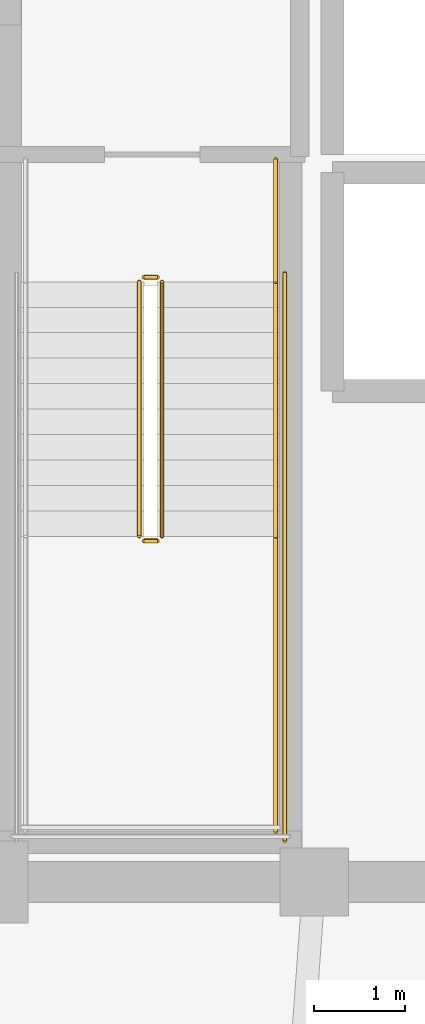
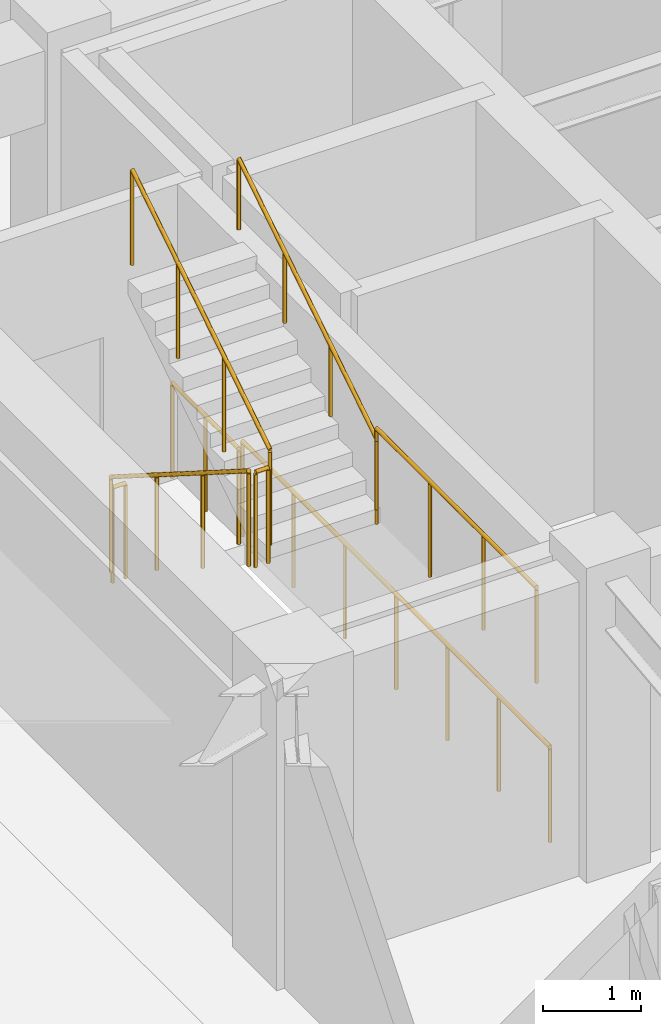
# One storey, part 14 of 15: 8 railings.
"""IFC4 building model written with IfcOpenShell, lengths in metres."""

import ifcopenshell
import ifcopenshell.guid

model = None  # the IFC model being written
_history = None  # IfcOwnerHistory: only IFC2X3 demands one
_inside = {}  # id of a spatial element -> (the spatial element, [elements in it])
_under = {}  # id of a project, library or spatial element -> (it, [spatial elements below it])
_declared = {}  # id of a project -> (the project, [libraries it declares])
_typed = {}  # id of a type object -> (the type object, [elements of that type])
_made_of = {}  # id of a material, layer set ... -> (it, [elements and type objects made of it])


def new_model(schema):
    """Start an empty IFC model of exactly this schema.

    Asked for "IFC4X3", IfcOpenShell would pick the latest addendum, in which some entities
    have other attributes; the version numbers below select the first issue.
    IFC2X3 requires an IfcOwnerHistory on every rooted entity: one is made here for all.
    """
    global model, _history
    if schema == "IFC4X3":
        model = ifcopenshell.file(schema_version=(4, 3, 0, 0))
    else:
        model = ifcopenshell.file(schema=schema)
    _inside.clear()
    _under.clear()
    _declared.clear()
    _typed.clear()
    _made_of.clear()
    _history = None
    if model.schema == "IFC2X3":
        org = make("IfcOrganization", Name="unknown")
        user = make(
            "IfcPersonAndOrganization",
            ThePerson=make("IfcPerson", FamilyName="unknown"),
            TheOrganization=org,
        )
        app = make(
            "IfcApplication",
            ApplicationDeveloper=org,
            Version="unknown",
            ApplicationFullName="unknown",
            ApplicationIdentifier="unknown",
        )
        _history = make(
            "IfcOwnerHistory",
            OwningUser=user,
            OwningApplication=app,
            ChangeAction="ADDED",
            CreationDate=0,
        )
    return model


def make(cls, **values):
    """One entity of the class cls with the attributes given. An attribute that is None is left unset."""
    return model.create_entity(
        cls, **{name: value for name, value in values.items() if value is not None}
    )


def rooted(cls, **values):
    """An entity with a GlobalId (a new one), such as an element, a storey or a relation."""
    return make(cls, GlobalId=ifcopenshell.guid.new(), OwnerHistory=_history, **values)


def si_unit(unit_type, name, prefix=None):
    """IfcSIUnit, for example si_unit("LENGTHUNIT", "METRE", prefix="MILLI")."""
    return make("IfcSIUnit", UnitType=unit_type, Prefix=prefix, Name=name)


def assignment(units):
    """IfcUnitAssignment: the units of a project."""
    return None if units is None else make("IfcUnitAssignment", Units=units)


def point(xyz):
    """IfcCartesianPoint."""
    return None if xyz is None else make("IfcCartesianPoint", Coordinates=xyz)


def direction(xyz):
    """IfcDirection."""
    return None if xyz is None else make("IfcDirection", DirectionRatios=xyz)


def frame(location, z_axis=None, x_axis=None):
    """IfcAxis2Placement3D, a coordinate frame: its origin and axes. An axis left out is left unset."""
    return make(
        "IfcAxis2Placement3D",
        Location=point(location),
        Axis=direction(z_axis),
        RefDirection=direction(x_axis),
    )


def frame_2d(location, x_axis=None):
    """IfcAxis2Placement2D, a coordinate frame in the plane: its origin and x axis."""
    return make(
        "IfcAxis2Placement2D", Location=point(location), RefDirection=direction(x_axis)
    )


def origin():
    """The frame at (0, 0, 0) with its axes left unset."""
    return frame((0.0, 0.0, 0.0))


def origin_2d():
    """The frame at (0, 0) in the plane with its x axis left unset."""
    return frame_2d((0.0, 0.0))


def place(relative_to, where):
    """IfcLocalPlacement: puts the frame where relative to a parent placement (None: the world)."""
    return make(
        "IfcLocalPlacement", PlacementRelTo=relative_to, RelativePlacement=where
    )


def context(
    kind, dimensions, precision=None, world=None, true_north=None, identifier=None
):
    """IfcGeometricRepresentationContext, for example the 3D "Model" context."""
    return make(
        "IfcGeometricRepresentationContext",
        ContextIdentifier=identifier,
        ContextType=kind,
        CoordinateSpaceDimension=dimensions,
        Precision=precision,
        WorldCoordinateSystem=world,
        TrueNorth=true_north,
    )


def subcontext(parent, identifier, kind, view, scale=None):
    """IfcGeometricRepresentationSubContext, for example "Body" below "Model"."""
    return make(
        "IfcGeometricRepresentationSubContext",
        ContextIdentifier=identifier,
        ContextType=kind,
        ParentContext=parent,
        TargetScale=scale,
        TargetView=view,
    )


def project(units=None, contexts=None):
    """IfcProject with its units and contexts."""
    return rooted(
        "IfcProject",
        Name="project",
        RepresentationContexts=contexts,
        UnitsInContext=assignment(units),
    )


def spatial(cls, under=None, at=None, **own):
    """A site, building, storey or space (cls), placed at a placement, below another one or the project."""
    s = rooted(cls, ObjectPlacement=at, **own)
    if under is not None:
        _under.setdefault(under.id(), (under, []))[1].append(s)
    return s


def profile(cls, at=None, kind="AREA", **sizes):
    """A parametric profile (cls). Its sizes go by their IFC names, for example OverallWidth=200.0."""
    return make(cls, ProfileType=kind, Position=at, **sizes)


def circle(**sizes):
    """IfcCircleProfileDef."""
    return profile("IfcCircleProfileDef", **sizes)


def extrude(swept, where, along, depth):
    """IfcExtrudedAreaSolid: the profile swept, set in the frame where, extruded along a direction by depth."""
    return make(
        "IfcExtrudedAreaSolid",
        SweptArea=swept,
        Position=where,
        ExtrudedDirection=direction(along),
        Depth=depth,
    )


def shape(context_of_items, identifier, shape_type, items):
    """IfcShapeRepresentation: the items that make up one representation, for example the "Body"."""
    return make(
        "IfcShapeRepresentation",
        ContextOfItems=context_of_items,
        RepresentationIdentifier=identifier,
        RepresentationType=shape_type,
        Items=items,
    )


def material(Name=None, Category=None):
    """IfcMaterial."""
    return make("IfcMaterial", Name=Name, Category=Category)


def made_of(thing, what):
    """Note that an element or type object is made of a material, layer set ...; save() writes the relation."""
    if what is not None:
        _made_of.setdefault(what.id(), (what, []))[1].append(thing)
    return thing


def type_object(cls, material=None, **own):
    """A type object (cls), such as IfcWallType, which elements share."""
    return made_of(rooted(cls, **own), material)


def element(
    cls,
    number,
    at=None,
    inside=None,
    cuts=None,
    type_object=None,
    material=None,
    context=None,
    identifier="Body",
    shape_type=None,
    held_by="IfcProductDefinitionShape",
    body=None,
    shapes=None,
    **own,
):
    """One element of the class cls, such as IfcWall. Its Tag is "e" and its number.

    at: its placement. inside: the storey or other place that contains it. cuts: it is an
    opening in that element (IfcRelVoidsElement). A single representation is given by context,
    identifier, shape_type and body (its items); several are given by shapes. held_by: the class
    of the entity that holds the representations. save() writes the other relations.
    """
    e = rooted(cls, Tag="e%d" % number, ObjectPlacement=at, **own)
    if body is not None:
        shapes = [shape(context, identifier, shape_type, body)]
    if shapes is not None:
        e.Representation = make(held_by, Representations=shapes)
    if inside is not None:
        _inside.setdefault(inside.id(), (inside, []))[1].append(e)
    if cuts is not None:
        rooted(
            "IfcRelVoidsElement", RelatingBuildingElement=cuts, RelatedOpeningElement=e
        )
    if type_object is not None:
        _typed.setdefault(type_object.id(), (type_object, []))[1].append(e)
    return made_of(e, material)


def aggregate(whole, parts):
    """IfcRelAggregates: a whole, such as a stair, and the parts it consists of."""
    return rooted("IfcRelAggregates", RelatingObject=whole, RelatedObjects=parts)


def save(model, path):
    """Write the relations noted so far, then the file.

    IfcRelAggregates (storeys below a building ...), IfcRelContainedInSpatialStructure (elements
    in a storey), IfcRelDefinesByType, IfcRelAssociatesMaterial and IfcRelDeclares: one each for
    every whole, place, type object, material and project.
    """
    for whole, parts in _under.values():
        aggregate(whole, parts)
    for where, things in _inside.values():
        rooted(
            "IfcRelContainedInSpatialStructure",
            RelatedElements=things,
            RelatingStructure=where,
        )
    for kind, things in _typed.values():
        rooted("IfcRelDefinesByType", RelatedObjects=things, RelatingType=kind)
    for what, things in _made_of.values():
        rooted("IfcRelAssociatesMaterial", RelatedObjects=things, RelatingMaterial=what)
    for by, libraries in _declared.values():
        rooted("IfcRelDeclares", RelatingContext=by, RelatedDefinitions=libraries)
    model.write(path)


model = new_model("IFC4")

# Units and contexts
model_context = context("Model", 3, precision=1e-05, world=origin(), true_north=direction((0.0, 1.0)))
body_context = subcontext(model_context, "Body", "Model", "MODEL_VIEW")
ifc_project = project(units=[si_unit("LENGTHUNIT", "METRE"), si_unit("AREAUNIT", "SQUARE_METRE"), si_unit("VOLUMEUNIT", "CUBIC_METRE"), si_unit("PLANEANGLEUNIT", "RADIAN"), si_unit("MASSUNIT", "GRAM", prefix="KILO")], contexts=[model_context])

# Site, building, storey
site_placement = place(None, origin())
site = spatial("IfcSite", under=ifc_project, at=site_placement, CompositionType="ELEMENT")
building_placement = place(site_placement, origin())
building = spatial("IfcBuilding", under=site, at=building_placement, Name="Voryun Gate Residences", CompositionType="ELEMENT")
storey_placement = place(building_placement, frame((0.0, 0.0, 148.199951171875)))
storey = spatial("IfcBuildingStorey", under=building, at=storey_placement, Name="L36", CompositionType="ELEMENT", Elevation=148.199951171875)

# Railings
ifc_material_1 = material(Name="Painted steel", Category="steel")
railing_type_1 = type_object("IfcRailingType", Name="RAIL_STAIR_GUARD_1200", PredefinedType="GUARDRAIL", material=ifc_material_1)
railing_1_placement = place(storey_placement, frame((-17.52490234375, -0.800048828125, 0.17724609375)))
element("IfcRailing", 1, at=railing_1_placement, inside=storey, type_object=railing_type_1, Name="L36 ST-W1 stair guard 1", PredefinedType="GUARDRAIL", context=body_context, shape_type="SweptSolid", body=[
    extrude(circle(Radius=0.02392578125, at=origin_2d()), frame((0.0, 0.0, 1.17578125), z_axis=(0.0, -0.844908973607, 0.534910110503), x_axis=(1.0, 0.0, 0.0)), (0.0, 0.0, 1.0), 3.31396484375),
    extrude(circle(Radius=0.02099609375, at=origin_2d()), origin(), (0.0, 0.0, 1.0), 1.15185546875),
    extrude(circle(Radius=0.02099609375, at=origin_2d()), frame((0.0, -0.933349609375, 0.5908203125)), (0.0, 0.0, 1.0), 1.15185546875),
    extrude(circle(Radius=0.02099609375, at=origin_2d()), frame((0.0, -1.86669921875, 1.181884765625)), (0.0, 0.0, 1.0), 1.15185546875),
    extrude(circle(Radius=0.02099609375, at=origin_2d()), frame((0.0, -2.800048828125, 1.772705078125)), (0.0, 0.0, 1.0), 1.15185546875),
])
railing_2_placement = place(storey_placement, frame((-17.47509765625, -3.64990234375, 1.949951171875)))
element("IfcRailing", 2, at=railing_2_placement, inside=storey, type_object=railing_type_1, Name="L36 ST-W1 stair guard 2", PredefinedType="GUARDRAIL", context=body_context, shape_type="SweptSolid", body=[
    extrude(circle(Radius=0.02392578125, at=origin_2d()), frame((0.0, 0.0, 1.17578125), z_axis=(1.0, 0.0, 0.0), x_axis=(0.0, 1.0, 0.0)), (0.0, 0.0, 1.0), 0.150146484375),
    extrude(circle(Radius=0.02099609375, at=origin_2d()), origin(), (0.0, 0.0, 1.0), 1.15185546875),
    extrude(circle(Radius=0.02099609375, at=origin_2d()), frame((0.150146484375, 0.0, 0.0)), (0.0, 0.0, 1.0), 1.15185546875),
])
railing_3_placement = place(storey_placement, frame((-16.02490234375, -3.60009765625, 1.949951171875)))
element("IfcRailing", 3, at=railing_3_placement, inside=storey, type_object=railing_type_1, Name="L36 ST-W1 stair guard 4", PredefinedType="GUARDRAIL", context=body_context, shape_type="SweptSolid", body=[
    extrude(circle(Radius=0.02392578125, at=origin_2d()), frame((0.0, 0.0, 1.17578125), z_axis=(0.0, -1.0, 0.0), x_axis=(1.0, 0.0, 0.0)), (0.0, 0.0, 1.0), 3.25),
    extrude(circle(Radius=0.02099609375, at=origin_2d()), origin(), (0.0, 0.0, 1.0), 1.15185546875),
    extrude(circle(Radius=0.02099609375, at=origin_2d()), frame((0.0, -1.083251953125, 0.0)), (0.0, 0.0, 1.0), 1.15185546875),
    extrude(circle(Radius=0.02099609375, at=origin_2d()), frame((0.0, -2.166748046875, 0.0)), (0.0, 0.0, 1.0), 1.15185546875),
    extrude(circle(Radius=0.02099609375, at=origin_2d()), frame((0.0, -3.25, 0.0)), (0.0, 0.0, 1.0), 1.15185546875),
])
railing_4_placement = place(storey_placement, frame((-17.27490234375, -3.60009765625, 2.12744140625)))
element("IfcRailing", 4, at=railing_4_placement, inside=storey, type_object=railing_type_1, Name="L36 ST-W1 stair guard 6", PredefinedType="GUARDRAIL", context=body_context, shape_type="SweptSolid", body=[
    extrude(circle(Radius=0.02392578125, at=origin_2d()), frame((0.0, 0.0, 1.17578125), z_axis=(0.0, 0.844908973607, 0.534910110503), x_axis=(-1.0, 0.0, 0.0)), (0.0, 0.0, 1.0), 3.31396484375),
    extrude(circle(Radius=0.02099609375, at=origin_2d()), origin(), (0.0, 0.0, 1.0), 1.15185546875),
    extrude(circle(Radius=0.02099609375, at=origin_2d()), frame((0.0, 0.933349609375, 0.5908203125)), (0.0, 0.0, 1.0), 1.15185546875),
    extrude(circle(Radius=0.02099609375, at=origin_2d()), frame((0.0, 1.86669921875, 1.181884765625)), (0.0, 0.0, 1.0), 1.15185546875),
    extrude(circle(Radius=0.02099609375, at=origin_2d()), frame((0.0, 2.800048828125, 1.772705078125)), (0.0, 0.0, 1.0), 1.15185546875),
])
railing_5_placement = place(storey_placement, frame((-17.47509765625, -0.75, 0.0)))
element("IfcRailing", 5, at=railing_5_placement, inside=storey, type_object=railing_type_1, Name="L36 ST-W1 stair guard 7", PredefinedType="GUARDRAIL", context=body_context, shape_type="SweptSolid", body=[
    extrude(circle(Radius=0.02392578125, at=origin_2d()), frame((0.0, 0.0, 1.17578125), z_axis=(1.0, 0.0, 0.0), x_axis=(0.0, 1.0, 0.0)), (0.0, 0.0, 1.0), 0.150146484375),
    extrude(circle(Radius=0.02099609375, at=origin_2d()), origin(), (0.0, 0.0, 1.0), 1.15185546875),
    extrude(circle(Radius=0.02099609375, at=origin_2d()), frame((0.150146484375, 0.0, 0.0)), (0.0, 0.0, 1.0), 1.15185546875),
])
railing_6_placement = place(storey_placement, frame((-16.02490234375, 0.550048828125, 0.0)))
element("IfcRailing", 6, at=railing_6_placement, inside=storey, type_object=railing_type_1, Name="L36 ST-W1 stair guard 9", PredefinedType="GUARDRAIL", context=body_context, shape_type="SweptSolid", body=[
    extrude(circle(Radius=0.02392578125, at=origin_2d()), frame((0.0, 0.0, 1.17578125), z_axis=(0.0, -1.0, 0.0), x_axis=(1.0, 0.0, 0.0)), (0.0, 0.0, 1.0), 1.35009765625),
    extrude(circle(Radius=0.02099609375, at=origin_2d()), origin(), (0.0, 0.0, 1.0), 1.15185546875),
    extrude(circle(Radius=0.02099609375, at=origin_2d()), frame((0.0, -0.675048828125, 0.0)), (0.0, 0.0, 1.0), 1.15185546875),
    extrude(circle(Radius=0.02099609375, at=origin_2d()), frame((0.0, -1.35009765625, 0.0)), (0.0, 0.0, 1.0), 1.15185546875),
])
railing_7_placement = place(storey_placement, frame((-15.925048828125, -0.699951171875, 0.0)))
element("IfcRailing", 7, at=railing_7_placement, inside=storey, type_object=railing_type_1, Name="L36 ST-W1 stair guard 11", PredefinedType="GUARDRAIL", context=body_context, shape_type="SweptSolid", body=[
    extrude(circle(Radius=0.02392578125, at=origin_2d()), frame((0.0, 0.0, 1.17578125), z_axis=(0.0, -1.0, 0.0), x_axis=(1.0, 0.0, 0.0)), (0.0, 0.0, 1.0), 6.25),
    extrude(circle(Radius=0.02099609375, at=origin_2d()), origin(), (0.0, 0.0, 1.0), 1.15185546875),
    extrude(circle(Radius=0.02099609375, at=origin_2d()), frame((0.0, -1.041748046875, 0.0)), (0.0, 0.0, 1.0), 1.15185546875),
    extrude(circle(Radius=0.02099609375, at=origin_2d()), frame((0.0, -2.083251953125, 0.0)), (0.0, 0.0, 1.0), 1.15185546875),
    extrude(circle(Radius=0.02099609375, at=origin_2d()), frame((0.0, -3.125, 0.0)), (0.0, 0.0, 1.0), 1.15185546875),
    extrude(circle(Radius=0.02099609375, at=origin_2d()), frame((0.0, -4.166748046875, 0.0)), (0.0, 0.0, 1.0), 1.15185546875),
    extrude(circle(Radius=0.02099609375, at=origin_2d()), frame((0.0, -5.208251953125, 0.0)), (0.0, 0.0, 1.0), 1.15185546875),
    extrude(circle(Radius=0.02099609375, at=origin_2d()), frame((0.0, -6.25, 0.0)), (0.0, 0.0, 1.0), 1.15185546875),
])
ifc_material_2 = material(Name="Painted steel", Category="steel")
railing_type_2 = type_object("IfcRailingType", Name="RAIL_STAIR_HANDRAIL_900", PredefinedType="HANDRAIL", material=ifc_material_2)
railing_8_placement = place(storey_placement, frame((-16.02490234375, -3.60009765625, 2.12744140625)))
element("IfcRailing", 8, at=railing_8_placement, inside=storey, type_object=railing_type_2, Name="L36 ST-W1 stair handrail 2", PredefinedType="HANDRAIL", context=body_context, shape_type="SweptSolid", body=[
    extrude(circle(Radius=0.02392578125, at=origin_2d()), frame((0.0, 0.0, 0.8759765625), z_axis=(0.0, 0.844908973607, 0.534910110503), x_axis=(-1.0, 0.0, 0.0)), (0.0, 0.0, 1.0), 3.31396484375),
    extrude(circle(Radius=0.02099609375, at=origin_2d()), origin(), (0.0, 0.0, 1.0), 0.851806640625),
    extrude(circle(Radius=0.02099609375, at=origin_2d()), frame((0.0, 0.933349609375, 0.5908203125)), (0.0, 0.0, 1.0), 0.851806640625),
    extrude(circle(Radius=0.02099609375, at=origin_2d()), frame((0.0, 1.86669921875, 1.181884765625)), (0.0, 0.0, 1.0), 0.851806640625),
    extrude(circle(Radius=0.02099609375, at=origin_2d()), frame((0.0, 2.800048828125, 1.772705078125)), (0.0, 0.0, 1.0), 0.851806640625),
])

save(model, "model.ifc")
